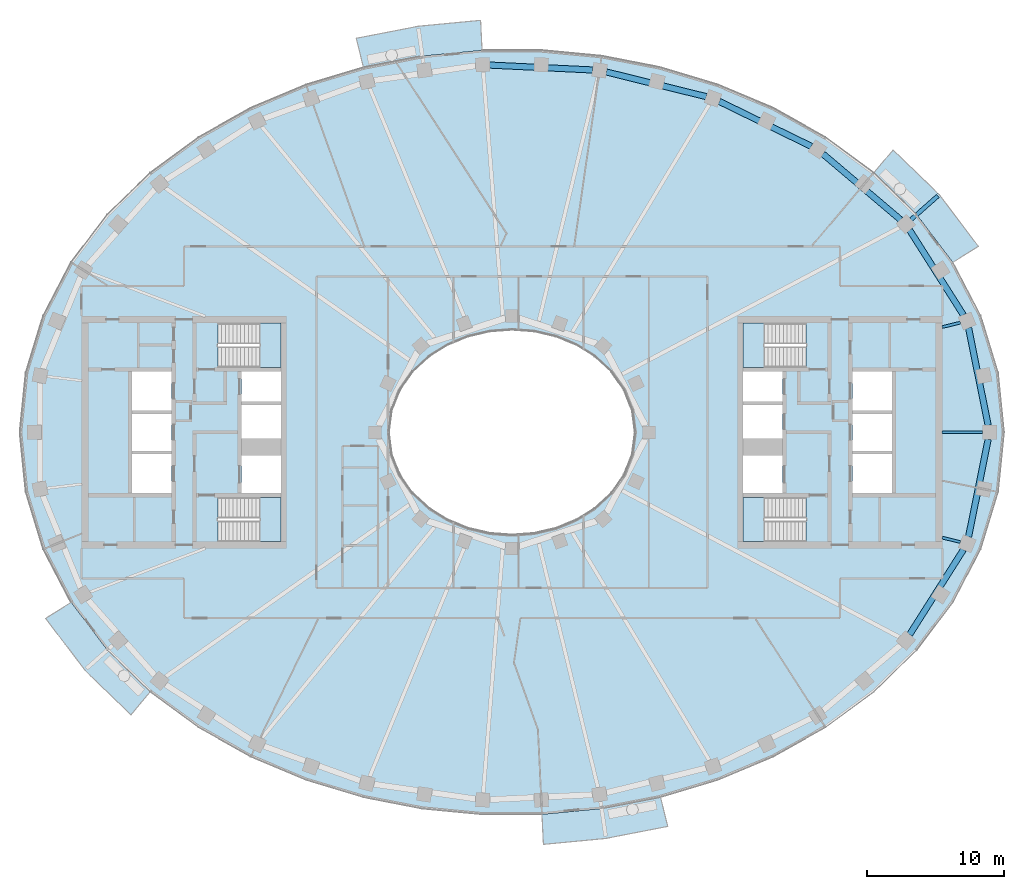
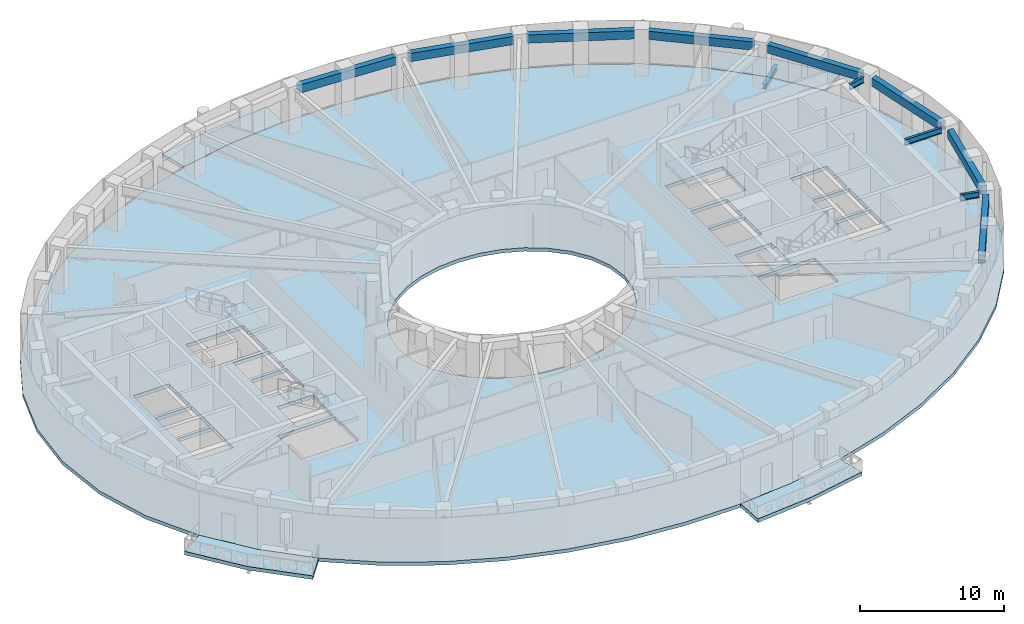
# One storey, part 2 of 16: 12 beams, 9 slabs, 4 elements without a shape of their own.
"""IFC4 building model written with IfcOpenShell, lengths in metres."""

from ifc_helpers import new_model, si_unit, direction, frame, origin, origin_2d, place, context, subcontext, project, spatial, polyline, rectangle, i_section, outline, extrude, material, layer, layer_set, material_profile, profile_set, type_object, element, aggregate, save


model = new_model("IFC4")

# Units and contexts
model_context = context("Model", 3, precision=1e-05, world=origin(), true_north=direction((0.0, 1.0)))
body_context = subcontext(model_context, "Body", "Model", "MODEL_VIEW")
ifc_project = project(units=[si_unit("LENGTHUNIT", "METRE"), si_unit("AREAUNIT", "SQUARE_METRE"), si_unit("VOLUMEUNIT", "CUBIC_METRE"), si_unit("PLANEANGLEUNIT", "RADIAN"), si_unit("MASSUNIT", "GRAM", prefix="KILO")], contexts=[model_context])

# Site, building, storey
site_placement = place(None, origin())
site = spatial("IfcSite", under=ifc_project, at=site_placement, CompositionType="ELEMENT")
building_placement = place(site_placement, origin())
building = spatial("IfcBuilding", under=site, at=building_placement, Name="Noorbagh Ring Tower", CompositionType="ELEMENT")
storey_placement = place(building_placement, frame((0.0, 0.0, 281.5)))
storey = spatial("IfcBuildingStorey", under=building, at=storey_placement, Name="L60", CompositionType="ELEMENT", Elevation=281.5)

# Beams
ifc_material_1 = material(Name="Steel S355", Category="steel")
ifc_material_profile_1 = material_profile(ifc_material_1, i_section(OverallWidth=0.300048828125, OverallDepth=0.39990234375, WebThickness=0.013427734375, FlangeThickness=0.02392578125, FilletRadius=0.027099609375, at=origin_2d()), Name="HEB400")
ifc_profile_set_1 = profile_set([ifc_material_profile_1], Name="Steel S355")
beam_type_1 = type_object("IfcBeamType", Name="STR-BALCONY-BRACKET-HEB400", PredefinedType="BEAM", material=ifc_profile_set_1)
beam_1_placement = place(storey_placement, frame((29.197021484375, 15.565185546875, -0.5), z_axis=(0.749087807423, 0.662470721444, 0.0), x_axis=(-0.662470721444, 0.749087807423, 0.0)))
element("IfcBeam", 1, at=beam_1_placement, inside=storey, type_object=beam_type_1, Name="Balcony bracket beam BN01", PredefinedType="BEAM", context=body_context, shape_type="SweptSolid", body=[
    extrude(i_section(OverallWidth=0.300048828125, OverallDepth=0.39990234375, WebThickness=0.013427734375, FlangeThickness=0.02392578125, FilletRadius=0.027099609375, at=origin_2d()), origin(), (0.0, 0.0, 1.0), 2.6044921875),
])
ifc_material_2 = material(Name="Steel S355", Category="steel")
ifc_material_profile_2 = material_profile(ifc_material_2, i_section(OverallWidth=0.199951171875, OverallDepth=0.5, WebThickness=0.01025390625, FlangeThickness=0.01611328125, FilletRadius=0.02099609375, at=origin_2d()), Name="IPE500")
ifc_profile_set_2 = profile_set([ifc_material_profile_2], Name="Steel S355")
beam_type_2 = type_object("IfcBeamType", Name="STR-RAD-IPE500", PredefinedType="BEAM", material=ifc_profile_set_2)
beam_2_placement = place(storey_placement, frame((34.439697265625, 0.0, 3.449951171875), z_axis=(-1.0, 0.0, 0.0), x_axis=(0.0, -1.0, 0.0)))
element("IfcBeam", 2, at=beam_2_placement, inside=storey, type_object=beam_type_2, Name="L60/bm/RD01", PredefinedType="BEAM", context=body_context, shape_type="SweptSolid", body=[
    extrude(i_section(OverallWidth=0.199951171875, OverallDepth=0.5, WebThickness=0.01025390625, FlangeThickness=0.01611328125, FilletRadius=0.02099609375, at=origin_2d()), origin(), (0.0, 0.0, 1.0), 2.959716796875),
])
for number, where, z_axis, x_axis, name in (
    (3, (32.80908203125, 8.02783203125, 3.449951171875), (-0.971368805904, -0.237576604311, 0.0), (0.237576604311, -0.971368805904, 0.0), "L60/bm/RD03"),
    (4, (32.80908203125, -8.02783203125, 3.449951171875), (-0.971368805904, 0.237576604311, 0.0), (-0.237576604311, -0.971368805904, 0.0), "L60/bm/RD45"),
):
    element("IfcBeam", number, at=place(storey_placement, frame(where, z_axis=z_axis, x_axis=x_axis)), inside=storey, type_object=beam_type_2, Name=name, PredefinedType="BEAM", context=body_context, shape_type="SweptSolid", body=[
        extrude(i_section(OverallWidth=0.199951171875, OverallDepth=0.5, WebThickness=0.01025390625, FlangeThickness=0.01611328125, FilletRadius=0.02099609375, at=origin_2d()), origin(), (0.0, 0.0, 1.0), 1.36767578125),
    ])
ifc_material_3 = material(Name="Concrete C40/50", Category="concrete")
ifc_material_profile_3 = material_profile(ifc_material_3, rectangle(XDim=0.449951171875, YDim=0.699951171875, at=origin_2d()), Name="RC450x700")
ifc_profile_set_3 = profile_set([ifc_material_profile_3], Name="Concrete C40/50")
beam_type_3 = type_object("IfcBeamType", Name="STR-SB-RC450x700-C40-50", PredefinedType="BEAM", material=ifc_profile_set_3)
beam_3_placement = place(storey_placement, frame((34.843017578125, 0.50537109375, 3.35009765625), z_axis=(-0.197224898537, 0.980358270938, 0.0), x_axis=(-0.980358270938, -0.197224898537, 0.0)))
element("IfcBeam", 5, at=beam_3_placement, inside=storey, type_object=beam_type_3, Name="L60/bm/SP01", PredefinedType="BEAM", context=body_context, shape_type="SweptSolid", body=[
    extrude(rectangle(XDim=0.449951171875, YDim=0.699951171875, at=origin_2d()), origin(), (0.0, 0.0, 1.0), 7.282470703125),
])
beam_4_placement = place(storey_placement, frame((33.030517578125, 8.5830078125, 3.35009765625), z_axis=(-0.535199696751, 0.844725567624, 0.0), x_axis=(-0.844725567624, -0.535199696751, 0.0)))
element("IfcBeam", 6, at=beam_4_placement, inside=storey, type_object=beam_type_3, Name="L60/bm/SP03", PredefinedType="BEAM", context=body_context, shape_type="SweptSolid", body=[
    extrude(rectangle(XDim=0.449951171875, YDim=0.699951171875, at=origin_2d()), origin(), (0.0, 0.0, 1.0), 7.357421875),
])
beam_5_placement = place(storey_placement, frame((28.42919921875, 15.560546875, 3.35009765625), z_axis=(-0.76304148439, 0.646349513111, 0.0), x_axis=(-0.646349513111, -0.76304148439, 0.0)))
element("IfcBeam", 7, at=beam_5_placement, inside=storey, type_object=beam_type_3, Name="L60/bm/SP05", PredefinedType="BEAM", context=body_context, shape_type="SweptSolid", body=[
    extrude(rectangle(XDim=0.449951171875, YDim=0.699951171875, at=origin_2d()), origin(), (0.0, 0.0, 1.0), 7.44189453125),
])
beam_6_placement = place(storey_placement, frame((21.905029296875, 20.92333984375, 3.35009765625), z_axis=(-0.898394634575, 0.439189117087, 0.0), x_axis=(-0.439189117087, -0.898394634575, 0.0)))
element("IfcBeam", 8, at=beam_6_placement, inside=storey, type_object=beam_type_3, Name="L60/bm/SP07", PredefinedType="BEAM", context=body_context, shape_type="SweptSolid", body=[
    extrude(rectangle(XDim=0.449951171875, YDim=0.699951171875, at=origin_2d()), origin(), (0.0, 0.0, 1.0), 7.501220703125),
])
beam_7_placement = place(storey_placement, frame((14.216552734375, 24.562744140625, 3.35009765625), z_axis=(-0.970832363292, 0.239759300935, 0.0), x_axis=(-0.239759300935, -0.970832363292, 0.0)))
element("IfcBeam", 9, at=beam_7_placement, inside=storey, type_object=beam_type_3, Name="L60/bm/SP09", PredefinedType="BEAM", context=body_context, shape_type="SweptSolid", body=[
    extrude(rectangle(XDim=0.449951171875, YDim=0.699951171875, at=origin_2d()), origin(), (0.0, 0.0, 1.0), 7.5341796875),
])
beam_8_placement = place(storey_placement, frame((5.90234375, 26.514892578125, 3.35009765625), z_axis=(-0.998868796295, 0.047551317418, 0.0), x_axis=(-0.047551317418, -0.998868796295, 0.0)))
element("IfcBeam", 10, at=beam_8_placement, inside=storey, type_object=beam_type_3, Name="L60/bm/SP11", PredefinedType="BEAM", context=body_context, shape_type="SweptSolid", body=[
    extrude(rectangle(XDim=0.449951171875, YDim=0.699951171875, at=origin_2d()), origin(), (0.0, 0.0, 1.0), 7.54736328125),
])
beam_9_placement = place(storey_placement, frame((29.0927734375, -14.798095703125, 3.35009765625), z_axis=(0.535199696751, 0.844725567624, 0.0), x_axis=(-0.844725567624, 0.535199696751, 0.0)))
element("IfcBeam", 11, at=beam_9_placement, inside=storey, type_object=beam_type_3, Name="L60/bm/SP43", PredefinedType="BEAM", context=body_context, shape_type="SweptSolid", body=[
    extrude(rectangle(XDim=0.449951171875, YDim=0.699951171875, at=origin_2d()), origin(), (0.0, 0.0, 1.0), 7.357421875),
])
beam_10_placement = place(storey_placement, frame((33.40673828125, -7.644775390625, 3.35009765625), z_axis=(0.197224898537, 0.980358270938, 0.0), x_axis=(-0.980358270938, 0.197224898537, 0.0)))
element("IfcBeam", 12, at=beam_10_placement, inside=storey, type_object=beam_type_3, Name="L60/bm/SP45", PredefinedType="BEAM", context=body_context, shape_type="SweptSolid", body=[
    extrude(rectangle(XDim=0.449951171875, YDim=0.699951171875, at=origin_2d()), origin(), (0.0, 0.0, 1.0), 7.282470703125),
])

# Stair, slab
ifc_material_4 = material(Name="Concrete C40/50", Category="concrete")
stair_type = type_object("IfcStairType", Name="CORE-STAIR", PredefinedType="HALF_TURN_STAIR", material=ifc_material_4)
stair_1_placement = place(storey_placement, origin())
stair_1 = element("IfcStair", 13, at=stair_1_placement, inside=storey, type_object=stair_type, Name="L60 Exit stair ST1", PredefinedType="HALF_TURN_STAIR")
ifc_material_5 = material(Name="Concrete C40/50", Category="concrete")
ifc_layer_1 = layer(ifc_material_5, 0.300048828125)
ifc_layer_set_1 = layer_set([ifc_layer_1], Name="Concrete C40/50")
slab_type_1 = type_object("IfcSlabType", Name="CORE-STAIR-LANDING", PredefinedType="LANDING", material=ifc_layer_set_1)
slab_1_placement = place(storey_placement, frame((0.0, 0.0, 1.699951171875)))
slab_1 = element("IfcSlab", 14, at=slab_1_placement, type_object=slab_type_1, Name="ST1 landing 1", PredefinedType="LANDING", context=body_context, shape_type="SweptSolid", body=[
    extrude(outline(polyline([(-18.449951171875, 4.75), (-16.89990234375, 4.75), (-16.89990234375, 8.0), (-18.449951171875, 8.0), (-18.449951171875, 4.75)])), origin(), (0.0, 0.0, 1.0), 0.300048828125),
])
aggregate(stair_1, [slab_1])

stair_2_placement = place(storey_placement, origin())
stair_2 = element("IfcStair", 15, at=stair_2_placement, inside=storey, type_object=stair_type, Name="L60 Exit stair ST2", PredefinedType="HALF_TURN_STAIR")
slab_2_placement = place(storey_placement, frame((0.0, 0.0, 1.699951171875)))
slab_2 = element("IfcSlab", 16, at=slab_2_placement, type_object=slab_type_1, Name="ST2 landing 1", PredefinedType="LANDING", context=body_context, shape_type="SweptSolid", body=[
    extrude(outline(polyline([(-18.449951171875, -8.0), (-16.89990234375, -8.0), (-16.89990234375, -4.75), (-18.449951171875, -4.75), (-18.449951171875, -8.0)])), origin(), (0.0, 0.0, 1.0), 0.300048828125),
])
aggregate(stair_2, [slab_2])

stair_3_placement = place(storey_placement, origin())
stair_3 = element("IfcStair", 17, at=stair_3_placement, inside=storey, type_object=stair_type, Name="L60 Exit stair ST3", PredefinedType="HALF_TURN_STAIR")
slab_3_placement = place(storey_placement, frame((0.0, 0.0, 1.699951171875)))
slab_3 = element("IfcSlab", 18, at=slab_3_placement, type_object=slab_type_1, Name="ST3 landing 1", PredefinedType="LANDING", context=body_context, shape_type="SweptSolid", body=[
    extrude(outline(polyline([(18.449951171875, 8.0), (16.89990234375, 8.0), (16.89990234375, 4.75), (18.449951171875, 4.75), (18.449951171875, 8.0)])), origin(), (0.0, 0.0, 1.0), 0.300048828125),
])
aggregate(stair_3, [slab_3])

stair_4_placement = place(storey_placement, origin())
stair_4 = element("IfcStair", 19, at=stair_4_placement, inside=storey, type_object=stair_type, Name="L60 Exit stair ST4", PredefinedType="HALF_TURN_STAIR")
slab_4_placement = place(storey_placement, frame((0.0, 0.0, 1.699951171875)))
slab_4 = element("IfcSlab", 20, at=slab_4_placement, type_object=slab_type_1, Name="ST4 landing 1", PredefinedType="LANDING", context=body_context, shape_type="SweptSolid", body=[
    extrude(outline(polyline([(18.449951171875, -4.75), (16.89990234375, -4.75), (16.89990234375, -8.0), (18.449951171875, -8.0), (18.449951171875, -4.75)])), origin(), (0.0, 0.0, 1.0), 0.300048828125),
])
aggregate(stair_4, [slab_4])

# Slabs
ifc_material_6 = material(Name="Concrete C40/50", Category="concrete")
ifc_layer_2 = layer(ifc_material_6, 0.300048828125)
ifc_layer_set_2 = layer_set([ifc_layer_2], Name="Concrete C40/50")
slab_type_2 = type_object("IfcSlabType", Name="ENV-BALCONY DECK 300", PredefinedType="FLOOR", material=ifc_layer_set_2)
slab_5_placement = place(storey_placement, frame((0.0, 0.0, -0.300048828125)))
element("IfcSlab", 21, at=slab_5_placement, inside=storey, type_object=slab_type_2, Name="Tree balcony deck BN01", PredefinedType="FLOOR", context=body_context, shape_type="SweptSolid", body=[
    extrude(outline(polyline([(34.120361328125, 13.615966796875), (31.26025390625, 17.389892578125), (27.888671875, 20.665771484375), (26.463134765625, 18.983154296875), (29.607666015625, 15.92822265625), (32.255126953125, 12.434814453125), (34.120361328125, 13.615966796875)])), origin(), (0.0, 0.0, 1.0), 0.300048828125),
])
slab_6_placement = place(storey_placement, frame((0.0, 0.0, -0.300048828125)))
element("IfcSlab", 22, at=slab_6_placement, inside=storey, type_object=slab_type_2, Name="Tree balcony deck BN04", PredefinedType="FLOOR", context=body_context, shape_type="SweptSolid", body=[
    extrude(outline(polyline([(-2.2978515625, 30.14794921875), (-6.874755859375, 29.711181640625), (-11.3935546875, 28.832763671875), (-10.865234375, 26.6943359375), (-6.5595703125, 27.53125), (-2.193115234375, 27.947998046875), (-2.2978515625, 30.14794921875)])), origin(), (0.0, 0.0, 1.0), 0.300048828125),
])
slab_7_placement = place(storey_placement, frame((0.0, 0.0, -0.300048828125)))
element("IfcSlab", 23, at=slab_7_placement, inside=storey, type_object=slab_type_2, Name="Tree balcony deck BS01", PredefinedType="FLOOR", context=body_context, shape_type="SweptSolid", body=[
    extrude(outline(polyline([(-34.120361328125, -13.615966796875), (-31.26025390625, -17.389892578125), (-27.888671875, -20.665771484375), (-26.463134765625, -18.983154296875), (-29.607666015625, -15.92822265625), (-32.255126953125, -12.434814453125), (-34.120361328125, -13.615966796875)])), origin(), (0.0, 0.0, 1.0), 0.300048828125),
])
slab_8_placement = place(storey_placement, frame((0.0, 0.0, -0.300048828125)))
element("IfcSlab", 24, at=slab_8_placement, inside=storey, type_object=slab_type_2, Name="Tree balcony deck BS04", PredefinedType="FLOOR", context=body_context, shape_type="SweptSolid", body=[
    extrude(outline(polyline([(2.2978515625, -30.14794921875), (6.874755859375, -29.711181640625), (11.3935546875, -28.832763671875), (10.865234375, -26.6943359375), (6.5595703125, -27.53125), (2.193115234375, -27.947998046875), (2.2978515625, -30.14794921875)])), origin(), (0.0, 0.0, 1.0), 0.300048828125),
])
ifc_material_7 = material(Name="Concrete C40/50", Category="concrete")
ifc_layer_3 = layer(ifc_material_7, 0.300048828125)
ifc_layer_set_3 = layer_set([ifc_layer_3], Name="Concrete C40/50")
slab_type_3 = type_object("IfcSlabType", Name="STR-FLOOR-DECK-300", PredefinedType="FLOOR", material=ifc_layer_set_3)
slab_9_placement = place(storey_placement, frame((0.0, 0.0, -0.300048828125)))
element("IfcSlab", 25, at=slab_9_placement, inside=storey, type_object=slab_type_3, Name="L60/slab/1", PredefinedType="FLOOR", context=body_context, shape_type="SweptSolid", body=[
    extrude(outline(polyline([(36.0, 0.0), (35.56103515625, 4.358642578125), (34.281005859375, 8.548828125), (32.255126953125, 12.434814453125), (29.607666015625, 15.92822265625), (26.463134765625, 18.983154296875), (22.9326171875, 21.583740234375), (19.108154296875, 23.730224609375), (15.0654296875, 25.430419921875), (10.865234375, 26.6943359375), (6.5595703125, 27.53125), (2.193115234375, 27.947998046875), (-2.193115234375, 27.947998046875), (-6.5595703125, 27.53125), (-10.865234375, 26.6943359375), (-15.0654296875, 25.430419921875), (-19.108154296875, 23.730224609375), (-22.9326171875, 21.583740234375), (-26.463134765625, 18.983154296875), (-29.607666015625, 15.92822265625), (-32.255126953125, 12.434814453125), (-34.281005859375, 8.548828125), (-35.56103515625, 4.358642578125), (-36.0, 0.0), (-35.56103515625, -4.358642578125), (-34.281005859375, -8.548828125), (-32.255126953125, -12.434814453125), (-29.607666015625, -15.92822265625), (-26.463134765625, -18.983154296875), (-22.9326171875, -21.583740234375), (-19.108154296875, -23.730224609375), (-15.0654296875, -25.430419921875), (-10.865234375, -26.6943359375), (-6.5595703125, -27.53125), (-2.193115234375, -27.947998046875), (2.193115234375, -27.947998046875), (6.5595703125, -27.53125), (10.865234375, -26.6943359375), (15.0654296875, -25.430419921875), (19.108154296875, -23.730224609375), (22.9326171875, -21.583740234375), (26.463134765625, -18.983154296875), (29.607666015625, -15.92822265625), (32.255126953125, -12.434814453125), (34.281005859375, -8.548828125), (35.56103515625, -4.358642578125), (36.0, 0.0)]), holes=[polyline([(24.89990234375, 4.449951171875), (27.800048828125, 4.449951171875), (27.800048828125, 1.60009765625), (24.89990234375, 1.60009765625), (24.89990234375, 4.449951171875)]), polyline([(24.89990234375, 1.35009765625), (27.800048828125, 1.35009765625), (27.800048828125, -1.35009765625), (24.89990234375, -1.35009765625), (24.89990234375, 1.35009765625)]), polyline([(24.89990234375, -1.60009765625), (27.800048828125, -1.60009765625), (27.800048828125, -4.449951171875), (24.89990234375, -4.449951171875), (24.89990234375, -1.60009765625)]), polyline([(21.529541015625, -8.0), (16.89990234375, -8.0), (16.89990234375, -4.75), (21.529541015625, -4.75), (21.529541015625, -8.0)]), polyline([(16.89990234375, 4.75), (16.89990234375, 8.0), (21.529541015625, 8.0), (21.529541015625, 4.75), (16.89990234375, 4.75)]), polyline([(19.800048828125, 4.449951171875), (19.800048828125, 2.25), (16.89990234375, 2.25), (16.89990234375, 4.449951171875), (19.800048828125, 4.449951171875)]), polyline([(16.89990234375, 2.0), (19.800048828125, 2.0), (19.800048828125, -0.449951171875), (16.89990234375, -0.449951171875), (16.89990234375, 2.0)]), polyline([(16.89990234375, -1.699951171875), (19.800048828125, -1.699951171875), (19.800048828125, -4.449951171875), (16.89990234375, -4.449951171875), (16.89990234375, -1.699951171875)]), polyline([(4.697509765625, -6.3974609375), (3.196533203125, -7.010986328125), (1.6171875, -7.3779296875), (0.0, -7.5), (-1.6171875, -7.3779296875), (-3.196533203125, -7.010986328125), (-4.697509765625, -6.3974609375), (-6.071044921875, -5.53662109375), (-7.2587890625, -4.43408203125), (-8.1904296875, -3.10888671875), (-8.79150390625, -1.605224609375), (-9.0, 0.0), (-8.79150390625, 1.605224609375), (-8.1904296875, 3.10888671875), (-7.2587890625, 4.43408203125), (-6.071044921875, 5.53662109375), (-4.697509765625, 6.3974609375), (-3.196533203125, 7.010986328125), (-1.6171875, 7.3779296875), (0.0, 7.5), (1.6171875, 7.3779296875), (3.196533203125, 7.010986328125), (4.697509765625, 6.3974609375), (6.071044921875, 5.53662109375), (7.2587890625, 4.43408203125), (8.1904296875, 3.10888671875), (8.79150390625, 1.605224609375), (9.0, 0.0), (8.79150390625, -1.605224609375), (8.1904296875, -3.10888671875), (7.2587890625, -4.43408203125), (6.071044921875, -5.53662109375), (4.697509765625, -6.3974609375)]), polyline([(-16.89990234375, 2.25), (-19.800048828125, 2.25), (-19.800048828125, 4.449951171875), (-16.89990234375, 4.449951171875), (-16.89990234375, 2.25)]), polyline([(-16.89990234375, -0.449951171875), (-19.800048828125, -0.449951171875), (-19.800048828125, 2.0), (-16.89990234375, 2.0), (-16.89990234375, -0.449951171875)]), polyline([(-16.89990234375, -4.449951171875), (-19.800048828125, -4.449951171875), (-19.800048828125, -1.699951171875), (-16.89990234375, -1.699951171875), (-16.89990234375, -4.449951171875)]), polyline([(-21.529541015625, 8.0), (-16.89990234375, 8.0), (-16.89990234375, 4.75), (-21.529541015625, 4.75), (-21.529541015625, 8.0)]), polyline([(-21.529541015625, -4.75), (-16.89990234375, -4.75), (-16.89990234375, -8.0), (-21.529541015625, -8.0), (-21.529541015625, -4.75)]), polyline([(-24.89990234375, -4.449951171875), (-27.800048828125, -4.449951171875), (-27.800048828125, -1.60009765625), (-24.89990234375, -1.60009765625), (-24.89990234375, -4.449951171875)]), polyline([(-24.89990234375, 1.60009765625), (-27.800048828125, 1.60009765625), (-27.800048828125, 4.449951171875), (-24.89990234375, 4.449951171875), (-24.89990234375, 1.60009765625)]), polyline([(-24.89990234375, -1.35009765625), (-27.800048828125, -1.35009765625), (-27.800048828125, 1.35009765625), (-24.89990234375, 1.35009765625), (-24.89990234375, -1.35009765625)])]), origin(), (0.0, 0.0, 1.0), 0.300048828125),
])

save(model, "model.ifc")
